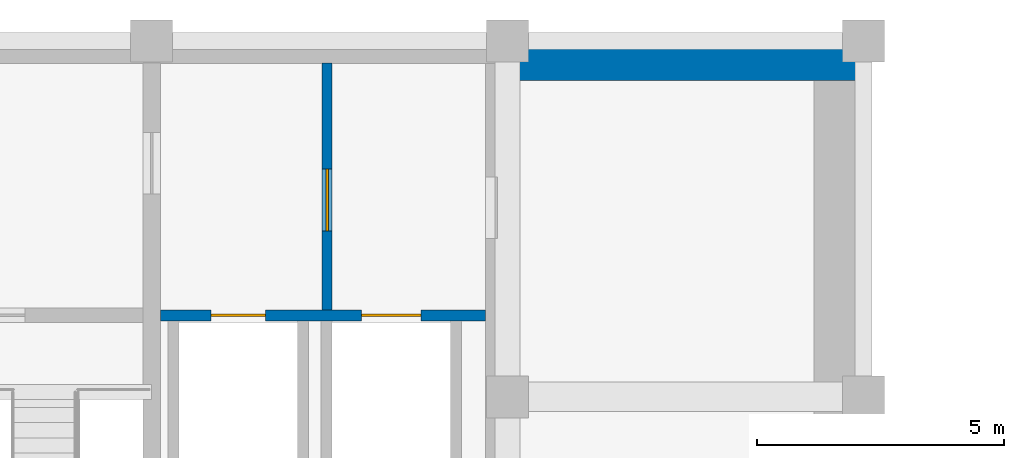
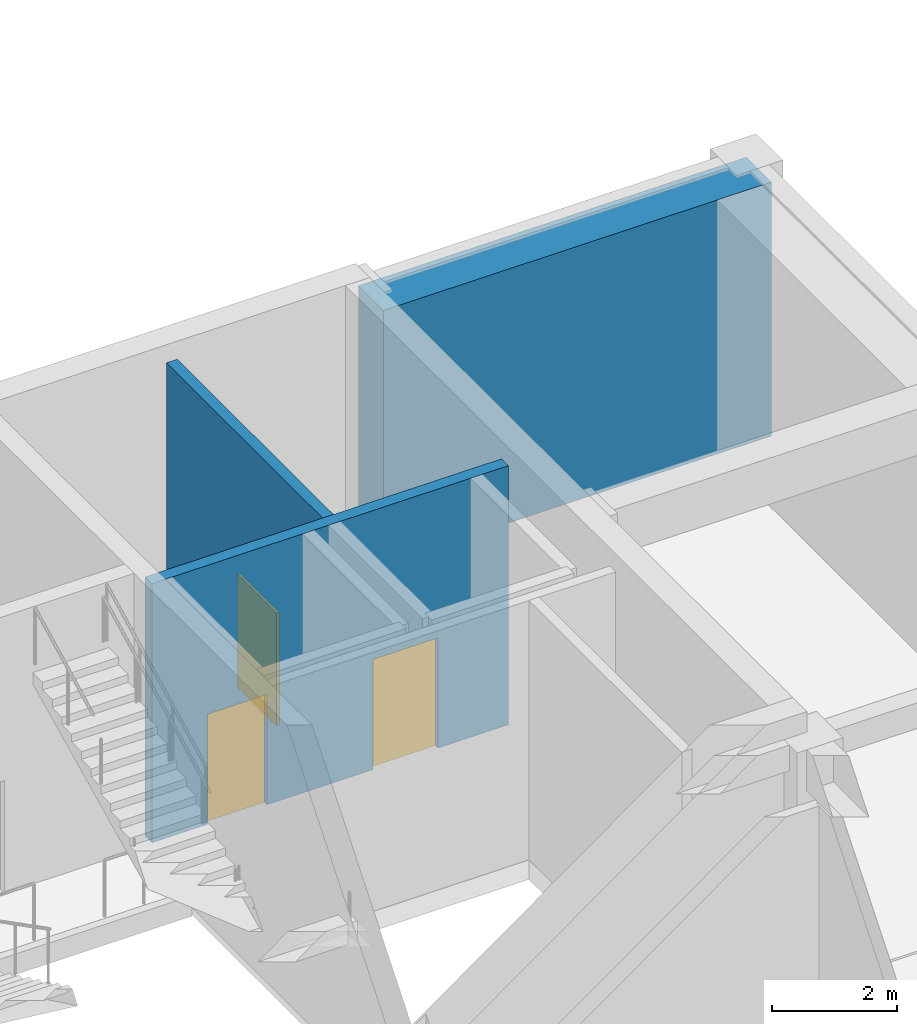
# One storey, part 8 of 15: 3 doors, 3 walls, 3 openings.
"""IFC4 building model written with IfcOpenShell, lengths in metres."""

from ifc_helpers import new_model, si_unit, direction, frame, frame_2d, origin, place, context, subcontext, project, spatial, rectangle, extrude, material, layer, layer_set, type_object, element, fill, save


model = new_model("IFC4")

# Units and contexts
model_context = context("Model", 3, precision=1e-05, world=origin(), true_north=direction((0.0, 1.0)))
body_context = subcontext(model_context, "Body", "Model", "MODEL_VIEW")
ifc_project = project(units=[si_unit("LENGTHUNIT", "METRE"), si_unit("AREAUNIT", "SQUARE_METRE"), si_unit("VOLUMEUNIT", "CUBIC_METRE"), si_unit("PLANEANGLEUNIT", "RADIAN"), si_unit("MASSUNIT", "GRAM", prefix="KILO")], contexts=[model_context])

# Site, building, storey
site_placement = place(None, origin())
site = spatial("IfcSite", under=ifc_project, at=site_placement, CompositionType="ELEMENT")
building_placement = place(site_placement, origin())
building = spatial("IfcBuilding", under=site, at=building_placement, Name="Leyfeld Transit Interchange", CompositionType="ELEMENT")
storey_placement = place(building_placement, frame((0.0, 0.0, -5.39990234375)))
storey = spatial("IfcBuildingStorey", under=building, at=storey_placement, Name="B01", CompositionType="ELEMENT", Elevation=-5.39990234375)

# Wall
ifc_material_1 = material(Name="Concrete C35/45", Category="concrete")
ifc_layer_1 = layer(ifc_material_1, 0.800048828125, Name="Concrete C35/45")
ifc_layer_set_1 = layer_set([ifc_layer_1], Name="Concrete C35/45")
wall_type_1 = type_object("IfcWallType", Name="WL-DW-800", PredefinedType="USERDEFINED", material=ifc_layer_set_1)
wall_1_placement = place(storey_placement, frame((21.64990234375, 107.60009765625, 0.0), z_axis=(0.0, 0.0, 1.0), x_axis=(1.0, 0.0, 0.0)))
element("IfcWall", 1, at=wall_1_placement, inside=storey, type_object=wall_type_1, Name="Metro Diaphragm Wall DW-B01-S04-P02", ObjectType="RETAININGWALL", PredefinedType="USERDEFINED", context=body_context, shape_type="SweptSolid", body=[
    extrude(rectangle(XDim=7.150146484375, YDim=0.800048828125, at=frame_2d((3.5751953125, 0.0))), origin(), (0.0, 0.0, 1.0), 4.949951171875),
])

# Wall, opening, door
ifc_layer_2 = layer(ifc_material_1, 0.199951171875, Name="Concrete C35/45")
ifc_layer_set_2 = layer_set([ifc_layer_2], Name="Concrete C35/45")
wall_type_2 = type_object("IfcWallType", Name="WL-INT-FFL-200", PredefinedType="PARTITIONING", material=ifc_layer_set_2)
wall_2_placement = place(storey_placement, frame((17.949951171875, 102.56005859375, 0.0), z_axis=(0.0, 0.0, 1.0), x_axis=(0.0, 1.0, 0.0)))
wall_2 = element("IfcWall", 2, at=wall_2_placement, inside=storey, type_object=wall_type_2, Name="Core K1 Firefighting Lobby Compartment Wall B01", PredefinedType="PARTITIONING", context=body_context, shape_type="SweptSolid", body=[
    extrude(rectangle(XDim=4.989990234375, YDim=0.199951171875, at=frame_2d((2.4951171875, 0.0))), origin(), (0.0, 0.0, 1.0), 5.0498046875),
])
opening_1_placement = place(wall_2_placement, frame((1.60009765625, 0.0, 0.0)))
opening_1 = element("IfcOpeningElement", 3, at=opening_1_placement, cuts=wall_2, Name="Opening DI-02", PredefinedType="OPENING", context=body_context, shape_type="SweptSolid", body=[
    extrude(rectangle(XDim=1.25, YDim=2.199951171875, at=frame_2d((0.625, 1.10009765625))), frame((0.0, 0.10986328125, 0.0), z_axis=(0.0, -1.0, 0.0), x_axis=(1.0, 0.0, 0.0)), (0.0, 0.0, 1.0), 0.219970703125),
])
ifc_material_2 = material(Name="Galvanised steel S275JR", Category="steel")
door_type_1 = type_object("IfcDoorType", Name="DR-FFL-1250x2200", OperationType="NOTDEFINED", PredefinedType="DOOR", material=ifc_material_2)
door_1_placement = place(opening_1_placement, origin())
door_1 = element("IfcDoor", 4, at=door_1_placement, inside=storey, type_object=door_type_1, Name="DR-FFL-CON-K1-B01", OperationType="SINGLE_SWING_RIGHT", OverallHeight=2.199951171875, OverallWidth=1.25, PredefinedType="DOOR", context=body_context, shape_type="SweptSolid", body=[
    extrude(rectangle(XDim=1.25, YDim=2.199951171875, at=frame_2d((0.625, 1.10009765625))), frame((0.0, 0.02490234375, 0.0), z_axis=(0.0, -1.0, 0.0), x_axis=(1.0, 0.0, 0.0)), (0.0, 0.0, 1.0), 0.050048828125),
])
fill(opening_1, door_1)

# Wall, openings, doors
ifc_layer_3 = layer(ifc_material_1, 0.219970703125, Name="Concrete C35/45")
ifc_layer_set_3 = layer_set([ifc_layer_3], Name="Concrete C35/45")
wall_type_3 = type_object("IfcWallType", Name="WL-INT-SHF-220", PredefinedType="PARTITIONING", material=ifc_layer_set_3)
wall_3_placement = place(storey_placement, frame((14.580078125, 102.449951171875, 0.0), z_axis=(0.0, 0.0, 1.0), x_axis=(1.0, 0.0, 0.0)))
wall_3 = element("IfcWall", 5, at=wall_3_placement, inside=storey, type_object=wall_type_3, Name="Core K1 Lift Shaft Front Wall B01", PredefinedType="PARTITIONING", context=body_context, shape_type="SweptSolid", body=[
    extrude(rectangle(XDim=6.56982421875, YDim=0.219970703125, at=frame_2d((3.284912109375, 0.0))), origin(), (0.0, 0.0, 1.0), 5.0498046875),
])
opening_2_placement = place(wall_3_placement, frame((1.02001953125, 0.0, 0.0)))
opening_2 = element("IfcOpeningElement", 6, at=opening_2_placement, cuts=wall_3, Name="Opening LD-01", PredefinedType="OPENING", context=body_context, shape_type="SweptSolid", body=[
    extrude(rectangle(XDim=1.10009765625, YDim=2.14990234375, at=frame_2d((0.550048828125, 1.074951171875))), frame((0.0, 0.119873046875, 0.0), z_axis=(0.0, -1.0, 0.0), x_axis=(1.0, 0.0, 0.0)), (0.0, 0.0, 1.0), 0.239990234375),
])
opening_3_placement = place(wall_3_placement, frame((4.070068359375, 0.0, 0.0)))
opening_3 = element("IfcOpeningElement", 7, at=opening_3_placement, cuts=wall_3, Name="Opening LD-02", PredefinedType="OPENING", context=body_context, shape_type="SweptSolid", body=[
    extrude(rectangle(XDim=1.199951171875, YDim=2.14990234375, at=frame_2d((0.60009765625, 1.074951171875))), frame((0.0, 0.119873046875, 0.0), z_axis=(0.0, -1.0, 0.0), x_axis=(1.0, 0.0, 0.0)), (0.0, 0.0, 1.0), 0.239990234375),
])
ifc_material_3 = material(Name="Stainless steel EN 1.4404", Category="steel")
door_type_2 = type_object("IfcDoorType", Name="DR-LD-FFL-1100x2150", OperationType="NOTDEFINED", PredefinedType="DOOR", material=ifc_material_3)
door_2_placement = place(opening_2_placement, origin())
door_2 = element("IfcDoor", 8, at=door_2_placement, inside=storey, type_object=door_type_2, Name="LD-FFL-1-B01", OperationType="DOUBLE_DOOR_SLIDING", OverallHeight=2.14990234375, OverallWidth=1.10009765625, PredefinedType="DOOR", context=body_context, shape_type="SweptSolid", body=[
    extrude(rectangle(XDim=1.10009765625, YDim=2.14990234375, at=frame_2d((0.550048828125, 1.074951171875))), frame((0.0, 0.02490234375, 0.0), z_axis=(0.0, -1.0, 0.0), x_axis=(1.0, 0.0, 0.0)), (0.0, 0.0, 1.0), 0.050048828125),
])
fill(opening_2, door_2)
door_type_3 = type_object("IfcDoorType", Name="DR-LD-PAS-1200x2150", OperationType="NOTDEFINED", PredefinedType="DOOR", material=ifc_material_3)
door_3_placement = place(opening_3_placement, origin())
door_3 = element("IfcDoor", 9, at=door_3_placement, inside=storey, type_object=door_type_3, Name="LD-PL-1-B01", OperationType="DOUBLE_DOOR_SLIDING", OverallHeight=2.14990234375, OverallWidth=1.199951171875, PredefinedType="DOOR", context=body_context, shape_type="SweptSolid", body=[
    extrude(rectangle(XDim=1.199951171875, YDim=2.14990234375, at=frame_2d((0.60009765625, 1.074951171875))), frame((0.0, 0.02490234375, 0.0), z_axis=(0.0, -1.0, 0.0), x_axis=(1.0, 0.0, 0.0)), (0.0, 0.0, 1.0), 0.050048828125),
])
fill(opening_3, door_3)

save(model, "model.ifc")
